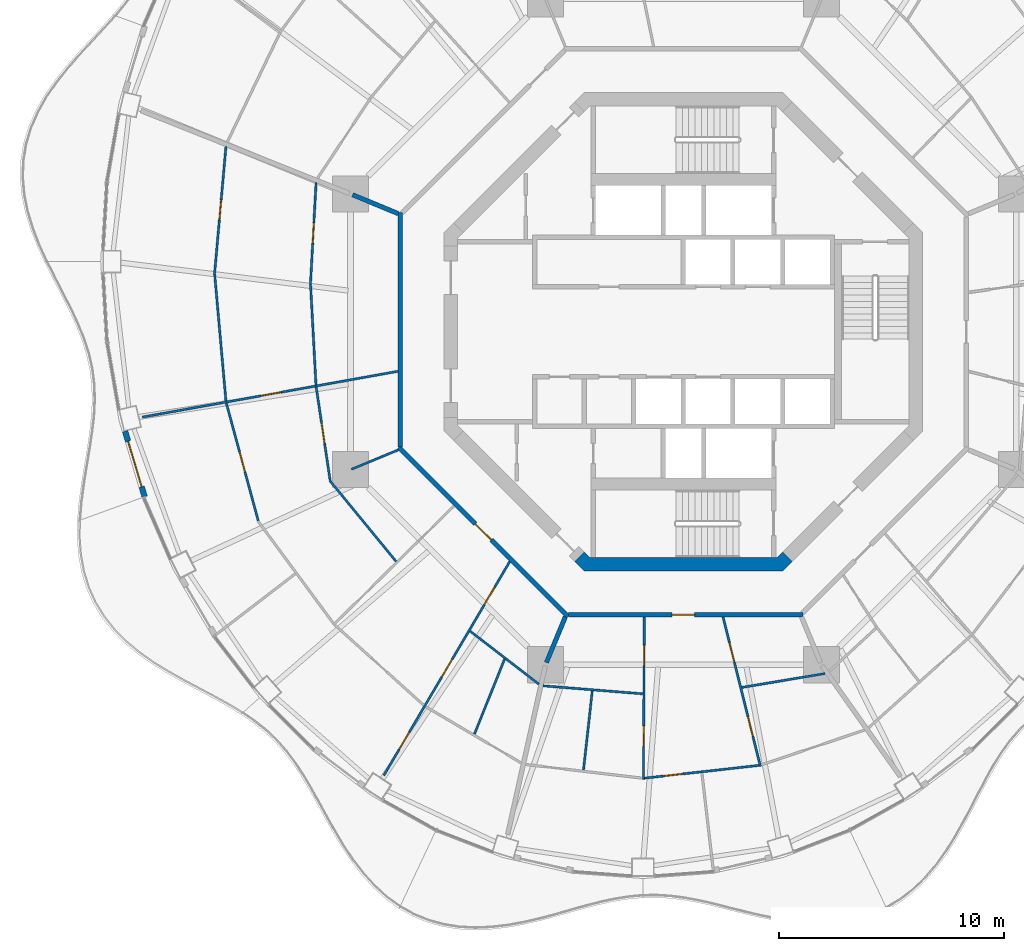
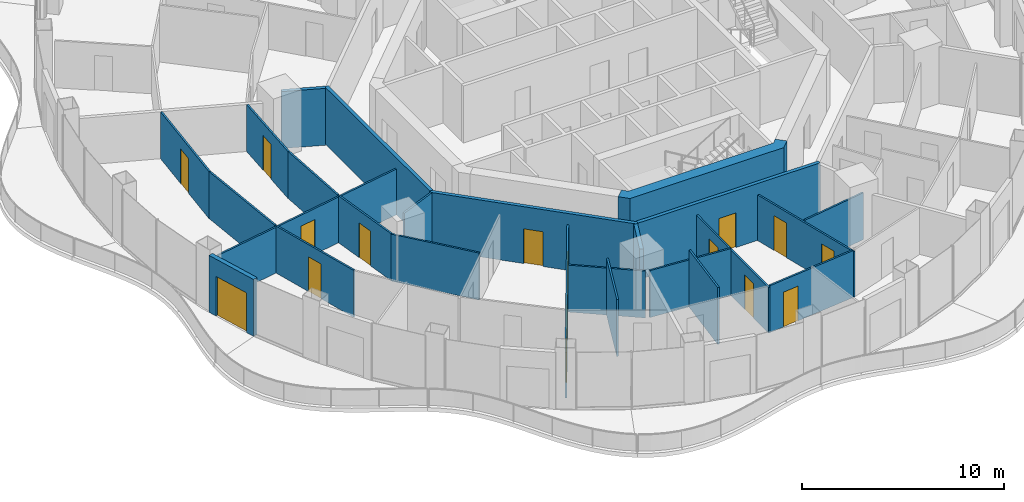
# One storey, part 10 of 18: 25 walls, 16 doors, 16 openings.
"""IFC4 building model written with IfcOpenShell, lengths in metres."""

from ifc_helpers import new_model, si_unit, direction, frame, frame_2d, origin, place, context, subcontext, project, spatial, polyline, rectangle, outline, extrude, material, layer, layer_set, type_object, element, fill, save


model = new_model("IFC4")

# Units and contexts
model_context = context("Model", 3, precision=1e-05, world=origin(), true_north=direction((0.0, 1.0)))
body_context = subcontext(model_context, "Body", "Model", "MODEL_VIEW")
ifc_project = project(units=[si_unit("LENGTHUNIT", "METRE"), si_unit("AREAUNIT", "SQUARE_METRE"), si_unit("VOLUMEUNIT", "CUBIC_METRE"), si_unit("PLANEANGLEUNIT", "RADIAN"), si_unit("MASSUNIT", "GRAM", prefix="KILO")], contexts=[model_context])

# Site, building, storey
site_placement = place(None, origin())
site = spatial("IfcSite", under=ifc_project, at=site_placement, CompositionType="ELEMENT")
building_placement = place(site_placement, origin())
building = spatial("IfcBuilding", under=site, at=building_placement, Name="Nagisa Residences", CompositionType="ELEMENT")
storey_placement = place(building_placement, frame((0.0, 0.0, 234.39990234375)))
storey = spatial("IfcBuildingStorey", under=building, at=storey_placement, Name="L59", CompositionType="ELEMENT", Elevation=234.39990234375)

# Walls
ifc_material_1 = material(Name="Gypsum board on steel studs", Category="steel")
ifc_layer_1 = layer(ifc_material_1, 0.199951171875)
ifc_layer_set_1 = layer_set([ifc_layer_1], Name="Apartment compartment wall EI60 200")
wall_type_1 = type_object("IfcWallType", Name="Apartment compartment wall EI60 200", PredefinedType="PARTITIONING", material=ifc_layer_set_1)
wall_1_placement = place(storey_placement, frame((-12.6572265625, 5.24267578125, 0.0), z_axis=(0.0, 0.0, 1.0), x_axis=(-0.923859888513, 0.38273085373, 0.0)))
element("IfcWall", 1, at=wall_1_placement, inside=storey, type_object=wall_type_1, Name="wall:L59:u02", PredefinedType="PARTITIONING", context=body_context, shape_type="SweptSolid", body=[
    extrude(rectangle(XDim=2.199462890625, YDim=0.199951171875, at=frame_2d((1.099609375, 0.0))), origin(), (0.0, 0.0, 1.0), 3.440185546875),
])
wall_2_placement = place(storey_placement, frame((-5.24267578125, -12.6572265625, 0.0), z_axis=(0.0, 0.0, 1.0), x_axis=(-0.382691608661, -0.923876145736, 0.0)))
element("IfcWall", 2, at=wall_2_placement, inside=storey, type_object=wall_type_1, Name="wall:L59:u04", PredefinedType="PARTITIONING", context=body_context, shape_type="SweptSolid", body=[
    extrude(rectangle(XDim=2.19970703125, YDim=0.199951171875, at=frame_2d((1.099853515625, 0.0))), origin(), (0.0, 0.0, 1.0), 3.440185546875),
])
ifc_material_2 = material(Name="Gypsum board on steel studs", Category="steel")
ifc_layer_2 = layer(ifc_material_2, 0.199951171875)
ifc_layer_set_2 = layer_set([ifc_layer_2], Name="Apartment entry wall EI60 200")
wall_type_2 = type_object("IfcWallType", Name="Apartment entry wall EI60 200", PredefinedType="PARTITIONING", material=ifc_layer_set_2)
wall_3_placement = place(storey_placement, frame((-12.564697265625, 5.304443359375, 0.0), z_axis=(0.0, 0.0, 1.0), x_axis=(0.0, -1.0, 0.0)))
element("IfcWall", 3, at=wall_3_placement, inside=storey, type_object=wall_type_2, Name="wall:L59:u14", PredefinedType="PARTITIONING", context=body_context, shape_type="SweptSolid", body=[
    extrude(rectangle(XDim=10.408935546875, YDim=0.199951171875, at=frame_2d((5.20458984375, 0.0))), origin(), (0.0, 0.0, 1.0), 3.440185546875),
])

# Wall, opening, door
wall_4_placement = place(storey_placement, frame((-12.635498046875, -5.1337890625, 0.0), z_axis=(0.0, 0.0, 1.0), x_axis=(0.707106781187, -0.707106781187, 0.0)))
wall_4 = element("IfcWall", 4, at=wall_4_placement, inside=storey, type_object=wall_type_2, Name="wall:L59:u15", PredefinedType="PARTITIONING", context=body_context, shape_type="SweptSolid", body=[
    extrude(rectangle(XDim=10.609130859375, YDim=0.199951171875, at=frame_2d((5.3046875, 0.0))), origin(), (0.0, 0.0, 1.0), 3.440185546875),
])
opening_1_placement = place(wall_4_placement, frame((4.804443359375, 0.0, 0.0)))
opening_1 = element("IfcOpeningElement", 5, at=opening_1_placement, cuts=wall_4, Name="Opening L59-U01", PredefinedType="OPENING", context=body_context, shape_type="SweptSolid", body=[
    extrude(rectangle(XDim=1.0, YDim=2.10009765625, at=frame_2d((0.5, 1.050048828125))), frame((0.0, 0.10986328125, 0.0), z_axis=(0.0, -1.0, 0.0), x_axis=(1.0, 0.0, 0.0)), (0.0, 0.0, 1.0), 0.219970703125),
])
ifc_material_3 = material(Name="Timber fire door set", Category="wood")
door_type_1 = type_object("IfcDoorType", Name="Apartment entry door FD30S 1000x2100", OperationType="NOTDEFINED", PredefinedType="DOOR", material=ifc_material_3)
door_1_placement = place(opening_1_placement, frame((1.0, 0.0, 0.0), x_axis=(-1.0, 0.0, 0.0)))
door_1 = element("IfcDoor", 6, at=door_1_placement, inside=storey, type_object=door_type_1, Name="Entry door, Apartment 59A", OperationType="SINGLE_SWING_RIGHT", OverallHeight=2.10009765625, OverallWidth=1.0, PredefinedType="DOOR", context=body_context, shape_type="SweptSolid", body=[
    extrude(rectangle(XDim=1.0, YDim=2.10009765625, at=frame_2d((0.5, 1.050048828125))), frame((0.0, 0.02490234375, 0.0), z_axis=(0.0, -1.0, 0.0), x_axis=(1.0, 0.0, 0.0)), (0.0, 0.0, 1.0), 0.050048828125),
])
fill(opening_1, door_1)

wall_5_placement = place(storey_placement, frame((-5.1044921875, -12.564697265625, 0.0), z_axis=(0.0, 0.0, 1.0), x_axis=(1.0, 0.0, 0.0)))
wall_5 = element("IfcWall", 7, at=wall_5_placement, inside=storey, type_object=wall_type_2, Name="wall:L59:u16", PredefinedType="PARTITIONING", context=body_context, shape_type="SweptSolid", body=[
    extrude(rectangle(XDim=10.408935546875, YDim=0.199951171875, at=frame_2d((5.20458984375, 0.0))), origin(), (0.0, 0.0, 1.0), 3.440185546875),
])
opening_2_placement = place(wall_5_placement, frame((4.6044921875, 0.0, 0.0)))
opening_2 = element("IfcOpeningElement", 8, at=opening_2_placement, cuts=wall_5, Name="Opening L59-U14", PredefinedType="OPENING", context=body_context, shape_type="SweptSolid", body=[
    extrude(rectangle(XDim=1.0, YDim=2.10009765625, at=frame_2d((0.5, 1.050048828125))), frame((0.0, 0.10986328125, 0.0), z_axis=(0.0, -1.0, 0.0), x_axis=(1.0, 0.0, 0.0)), (0.0, 0.0, 1.0), 0.219970703125),
])
door_2_placement = place(opening_2_placement, frame((1.0, 0.0, 0.0), x_axis=(-1.0, 0.0, 0.0)))
door_2 = element("IfcDoor", 9, at=door_2_placement, inside=storey, type_object=door_type_1, Name="Entry door, Apartment 59B", OperationType="SINGLE_SWING_LEFT", OverallHeight=2.10009765625, OverallWidth=1.0, PredefinedType="DOOR", context=body_context, shape_type="SweptSolid", body=[
    extrude(rectangle(XDim=1.0, YDim=2.10009765625, at=frame_2d((0.5, 1.050048828125))), frame((0.0, 0.02490234375, 0.0), z_axis=(0.0, -1.0, 0.0), x_axis=(1.0, 0.0, 0.0)), (0.0, 0.0, 1.0), 0.050048828125),
])
fill(opening_2, door_2)

ifc_material_4 = material(Name="Gypsum board on steel studs", Category="steel")
ifc_layer_3 = layer(ifc_material_4, 0.10009765625)
ifc_layer_set_3 = layer_set([ifc_layer_3], Name="Apartment partition 100")
wall_type_3 = type_object("IfcWallType", Name="Apartment partition 100", PredefinedType="PARTITIONING", material=ifc_layer_set_3)
wall_6_placement = place(storey_placement, frame((-16.306884765625, 6.62744140625, 0.0), z_axis=(0.0, 0.0, 1.0), x_axis=(-0.055616130958, -0.998452225185, 0.0)))
wall_6 = element("IfcWall", 10, at=wall_6_placement, inside=storey, type_object=wall_type_3, Name="wall:L59:u58", PredefinedType="PARTITIONING", context=body_context, shape_type="SweptSolid", body=[
    extrude(rectangle(XDim=4.53466796875, YDim=0.10009765625, at=frame_2d((2.267333984375, 0.0))), origin(), (0.0, 0.0, 1.0), 2.837158203125),
])
opening_3_placement = place(wall_6_placement, frame((1.792236328125, 0.0, 0.0)))
opening_3 = element("IfcOpeningElement", 11, at=opening_3_placement, cuts=wall_6, Name="Opening L59-U13", PredefinedType="OPENING", context=body_context, shape_type="SweptSolid", body=[
    extrude(rectangle(XDim=0.89990234375, YDim=2.10009765625, at=frame_2d((0.449951171875, 1.050048828125))), frame((0.0, 0.06005859375, 0.0), z_axis=(0.0, -1.0, 0.0), x_axis=(1.0, 0.0, 0.0)), (0.0, 0.0, 1.0), 0.1201171875),
])
ifc_material_5 = material(Name="Timber door set", Category="wood")
door_type_2 = type_object("IfcDoorType", Name="Apartment door 900x2100", OperationType="NOTDEFINED", PredefinedType="DOOR", material=ifc_material_5)
door_3_placement = place(opening_3_placement, origin())
door_3 = element("IfcDoor", 12, at=door_3_placement, inside=storey, type_object=door_type_2, Name="Door to store, Apartment 59A", OperationType="SINGLE_SWING_LEFT", OverallHeight=2.10009765625, OverallWidth=0.89990234375, PredefinedType="DOOR", context=body_context, shape_type="SweptSolid", body=[
    extrude(rectangle(XDim=0.89990234375, YDim=2.10009765625, at=frame_2d((0.449951171875, 1.050048828125))), frame((0.0, 0.02490234375, 0.0), z_axis=(0.0, -1.0, 0.0), x_axis=(1.0, 0.0, 0.0)), (0.0, 0.0, 1.0), 0.050048828125),
])
fill(opening_3, door_3)

wall_7_placement = place(storey_placement, frame((-20.3095703125, 8.21826171875, 0.0), z_axis=(0.0, 0.0, 1.0), x_axis=(-0.089284106956, -0.996006198899, 0.0)))
wall_7 = element("IfcWall", 13, at=wall_7_placement, inside=storey, type_object=wall_type_3, Name="wall:L59:u59", PredefinedType="PARTITIONING", context=body_context, shape_type="SweptSolid", body=[
    extrude(rectangle(XDim=5.698486328125, YDim=0.10009765625, at=frame_2d((2.84912109375, 0.0))), origin(), (0.0, 0.0, 1.0), 2.837158203125),
])
opening_4_placement = place(wall_7_placement, frame((2.374267578125, 0.0, 0.0)))
opening_4 = element("IfcOpeningElement", 14, at=opening_4_placement, cuts=wall_7, Name="Opening L59-U12", PredefinedType="OPENING", context=body_context, shape_type="SweptSolid", body=[
    extrude(rectangle(XDim=0.89990234375, YDim=2.10009765625, at=frame_2d((0.449951171875, 1.050048828125))), frame((0.0, 0.06005859375, 0.0), z_axis=(0.0, -1.0, 0.0), x_axis=(1.0, 0.0, 0.0)), (0.0, 0.0, 1.0), 0.1201171875),
])
door_4_placement = place(opening_4_placement, frame((0.89990234375, 0.0, 0.0), x_axis=(-1.0, 0.0, 0.0)))
door_4 = element("IfcDoor", 15, at=door_4_placement, inside=storey, type_object=door_type_2, Name="Door to family room, Apartment 59A", OperationType="SINGLE_SWING_LEFT", OverallHeight=2.10009765625, OverallWidth=0.89990234375, PredefinedType="DOOR", context=body_context, shape_type="SweptSolid", body=[
    extrude(rectangle(XDim=0.89990234375, YDim=2.10009765625, at=frame_2d((0.449951171875, 1.050048828125))), frame((0.0, 0.02490234375, 0.0), z_axis=(0.0, -1.0, 0.0), x_axis=(1.0, 0.0, 0.0)), (0.0, 0.0, 1.0), 0.050048828125),
])
fill(opening_4, door_4)

# Walls
wall_8_placement = place(storey_placement, frame((-16.5537109375, 2.099853515625, 0.0), z_axis=(0.0, 0.0, 1.0), x_axis=(0.053945770239, -0.998543866775, 0.0)))
element("IfcWall", 16, at=wall_8_placement, inside=storey, type_object=wall_type_3, Name="wall:L59:u60", PredefinedType="PARTITIONING", context=body_context, shape_type="SweptSolid", body=[
    extrude(rectangle(XDim=4.46240234375, YDim=0.10009765625, at=frame_2d((2.231201171875, 0.0))), origin(), (0.0, 0.0, 1.0), 2.837158203125),
])
wall_9_placement = place(storey_placement, frame((-20.8095703125, 2.54248046875, 0.0), z_axis=(0.0, 0.0, 1.0), x_axis=(0.088621920298, -0.996065336834, 0.0)))
element("IfcWall", 17, at=wall_9_placement, inside=storey, type_object=wall_type_3, Name="wall:L59:u61", PredefinedType="PARTITIONING", context=body_context, shape_type="SweptSolid", body=[
    extrude(rectangle(XDim=5.636474609375, YDim=0.10009765625, at=frame_2d((2.818359375, 0.0))), origin(), (0.0, 0.0, 1.0), 2.837158203125),
])

# Wall, opening, door
wall_10_placement = place(storey_placement, frame((-12.6630859375, -1.75244140625, 0.0), z_axis=(0.0, 0.0, 1.0), x_axis=(-0.98433012022, -0.176335516635, 0.0)))
wall_10 = element("IfcWall", 18, at=wall_10_placement, inside=storey, type_object=wall_type_3, Name="wall:L59:u62", PredefinedType="PARTITIONING", context=body_context, shape_type="SweptSolid", body=[
    extrude(rectangle(XDim=11.537353515625, YDim=0.10009765625, at=frame_2d((5.7685546875, 0.0))), origin(), (0.0, 0.0, 1.0), 2.76220703125),
])
opening_5_placement = place(wall_10_placement, frame((5.28466796875, 0.0, 0.0)))
opening_5 = element("IfcOpeningElement", 19, at=opening_5_placement, cuts=wall_10, Name="Opening L59-U10", PredefinedType="OPENING", context=body_context, shape_type="SweptSolid", body=[
    extrude(rectangle(XDim=0.89990234375, YDim=2.10009765625, at=frame_2d((0.449951171875, 1.050048828125))), frame((0.0, 0.06005859375, 0.0), z_axis=(0.0, -1.0, 0.0), x_axis=(1.0, 0.0, 0.0)), (0.0, 0.0, 1.0), 0.1201171875),
])
door_5_placement = place(opening_5_placement, frame((0.89990234375, 0.0, 0.0), x_axis=(-1.0, 0.0, 0.0)))
door_5 = element("IfcDoor", 20, at=door_5_placement, inside=storey, type_object=door_type_2, Name="Door to kitchen, Apartment 59A", OperationType="SINGLE_SWING_LEFT", OverallHeight=2.10009765625, OverallWidth=0.89990234375, PredefinedType="DOOR", context=body_context, shape_type="SweptSolid", body=[
    extrude(rectangle(XDim=0.89990234375, YDim=2.10009765625, at=frame_2d((0.449951171875, 1.050048828125))), frame((0.0, 0.02490234375, 0.0), z_axis=(0.0, -1.0, 0.0), x_axis=(1.0, 0.0, 0.0)), (0.0, 0.0, 1.0), 0.050048828125),
])
fill(opening_5, door_5)

wall_11_placement = place(storey_placement, frame((-16.302978515625, -2.455322265625, 0.0), z_axis=(0.0, 0.0, 1.0), x_axis=(0.14769374353, -0.989033143086, 0.0)))
wall_11 = element("IfcWall", 21, at=wall_11_placement, inside=storey, type_object=wall_type_3, Name="wall:L59:u63", PredefinedType="PARTITIONING", context=body_context, shape_type="SweptSolid", body=[
    extrude(rectangle(XDim=4.172119140625, YDim=0.10009765625, at=frame_2d((2.0859375, 0.0))), origin(), (0.0, 0.0, 1.0), 2.837158203125),
])
opening_6_placement = place(wall_11_placement, frame((1.635986328125, 0.0, 0.0)))
opening_6 = element("IfcOpeningElement", 22, at=opening_6_placement, cuts=wall_11, Name="Opening L59-U09", PredefinedType="OPENING", context=body_context, shape_type="SweptSolid", body=[
    extrude(rectangle(XDim=0.89990234375, YDim=2.10009765625, at=frame_2d((0.449951171875, 1.050048828125))), frame((0.0, 0.06005859375, 0.0), z_axis=(0.0, -1.0, 0.0), x_axis=(1.0, 0.0, 0.0)), (0.0, 0.0, 1.0), 0.1201171875),
])
door_6_placement = place(opening_6_placement, origin())
door_6 = element("IfcDoor", 23, at=door_6_placement, inside=storey, type_object=door_type_2, Name="Door to laundry, Apartment 59A", OperationType="SINGLE_SWING_LEFT", OverallHeight=2.10009765625, OverallWidth=0.89990234375, PredefinedType="DOOR", context=body_context, shape_type="SweptSolid", body=[
    extrude(rectangle(XDim=0.89990234375, YDim=2.10009765625, at=frame_2d((0.449951171875, 1.050048828125))), frame((0.0, 0.02490234375, 0.0), z_axis=(0.0, -1.0, 0.0), x_axis=(1.0, 0.0, 0.0)), (0.0, 0.0, 1.0), 0.050048828125),
])
fill(opening_6, door_6)

wall_12_placement = place(storey_placement, frame((-20.29248046875, -3.169677734375, 0.0), z_axis=(0.0, 0.0, 1.0), x_axis=(0.261890541964, -0.965097582646, 0.0)))
wall_12 = element("IfcWall", 24, at=wall_12_placement, inside=storey, type_object=wall_type_3, Name="wall:L59:u64", PredefinedType="PARTITIONING", context=body_context, shape_type="SweptSolid", body=[
    extrude(rectangle(XDim=5.406005859375, YDim=0.10009765625, at=frame_2d((2.703125, 0.0))), origin(), (0.0, 0.0, 1.0), 2.837158203125),
])
opening_7_placement = place(wall_12_placement, frame((2.2529296875, 0.0, 0.0)))
opening_7 = element("IfcOpeningElement", 25, at=opening_7_placement, cuts=wall_12, Name="Opening L59-U06", PredefinedType="OPENING", context=body_context, shape_type="SweptSolid", body=[
    extrude(rectangle(XDim=0.89990234375, YDim=2.10009765625, at=frame_2d((0.449951171875, 1.050048828125))), frame((0.0, 0.06005859375, 0.0), z_axis=(0.0, -1.0, 0.0), x_axis=(1.0, 0.0, 0.0)), (0.0, 0.0, 1.0), 0.1201171875),
])
door_7_placement = place(opening_7_placement, frame((0.89990234375, 0.0, 0.0), x_axis=(-1.0, 0.0, 0.0)))
door_7 = element("IfcDoor", 26, at=door_7_placement, inside=storey, type_object=door_type_2, Name="Door to master bedroom, Apartment 59A", OperationType="SINGLE_SWING_LEFT", OverallHeight=2.10009765625, OverallWidth=0.89990234375, PredefinedType="DOOR", context=body_context, shape_type="SweptSolid", body=[
    extrude(rectangle(XDim=0.89990234375, YDim=2.10009765625, at=frame_2d((0.449951171875, 1.050048828125))), frame((0.0, 0.02490234375, 0.0), z_axis=(0.0, -1.0, 0.0), x_axis=(1.0, 0.0, 0.0)), (0.0, 0.0, 1.0), 0.050048828125),
])
fill(opening_7, door_7)

# Walls
wall_13_placement = place(storey_placement, frame((-12.6572265625, -5.24267578125, 0.0), z_axis=(0.0, 0.0, 1.0), x_axis=(-0.923864733477, -0.382719158442, 0.0)))
element("IfcWall", 27, at=wall_13_placement, inside=storey, type_object=wall_type_3, Name="wall:L59:u65", PredefinedType="PARTITIONING", context=body_context, shape_type="SweptSolid", body=[
    extrude(rectangle(XDim=2.25, YDim=0.10009765625, at=frame_2d((1.125, 0.0))), origin(), (0.0, 0.0, 1.0), 3.440185546875),
])
wall_14_placement = place(storey_placement, frame((-15.7109375, -6.592529296875, 0.0), z_axis=(0.0, 0.0, 1.0), x_axis=(0.634058916642, -0.773284740718, 0.0)))
element("IfcWall", 28, at=wall_14_placement, inside=storey, type_object=wall_type_3, Name="wall:L59:u66", PredefinedType="PARTITIONING", context=body_context, shape_type="SweptSolid", body=[
    extrude(rectangle(XDim=4.660888671875, YDim=0.10009765625, at=frame_2d((2.33056640625, 0.0))), origin(), (0.0, 0.0, 1.0), 2.837158203125),
])

# Wall, openings, doors
wall_15_placement = place(storey_placement, frame((-7.708740234375, -10.197509765625, 0.0), z_axis=(0.0, 0.0, 1.0), x_axis=(-0.507355901053, -0.8617366127, 0.0)))
wall_15 = element("IfcWall", 29, at=wall_15_placement, inside=storey, type_object=wall_type_3, Name="wall:L59:u71", PredefinedType="PARTITIONING", context=body_context, shape_type="SweptSolid", body=[
    extrude(rectangle(XDim=11.02490234375, YDim=0.10009765625, at=frame_2d((5.512451171875, 0.0))), origin(), (0.0, 0.0, 1.0), 2.76220703125),
])
opening_8_placement = place(wall_15_placement, frame((1.326171875, 0.0, 0.0)))
opening_8 = element("IfcOpeningElement", 30, at=opening_8_placement, cuts=wall_15, Name="Opening L59-U03", PredefinedType="OPENING", context=body_context, shape_type="SweptSolid", body=[
    extrude(rectangle(XDim=0.89990234375, YDim=2.10009765625, at=frame_2d((0.449951171875, 1.050048828125))), frame((0.0, 0.06005859375, 0.0), z_axis=(0.0, -1.0, 0.0), x_axis=(1.0, 0.0, 0.0)), (0.0, 0.0, 1.0), 0.1201171875),
])
opening_9_placement = place(wall_15_placement, frame((5.05029296875, 0.0, 0.0)))
opening_9 = element("IfcOpeningElement", 31, at=opening_9_placement, cuts=wall_15, Name="Opening L59-U05", PredefinedType="OPENING", context=body_context, shape_type="SweptSolid", body=[
    extrude(rectangle(XDim=0.89990234375, YDim=2.10009765625, at=frame_2d((0.449951171875, 1.050048828125))), frame((0.0, 0.06005859375, 0.0), z_axis=(0.0, -1.0, 0.0), x_axis=(1.0, 0.0, 0.0)), (0.0, 0.0, 1.0), 0.1201171875),
])
opening_10_placement = place(wall_15_placement, frame((8.78662109375, 0.0, 0.0)))
opening_10 = element("IfcOpeningElement", 32, at=opening_10_placement, cuts=wall_15, Name="Opening L59-U08", PredefinedType="OPENING", context=body_context, shape_type="SweptSolid", body=[
    extrude(rectangle(XDim=0.89990234375, YDim=2.10009765625, at=frame_2d((0.449951171875, 1.050048828125))), frame((0.0, 0.06005859375, 0.0), z_axis=(0.0, -1.0, 0.0), x_axis=(1.0, 0.0, 0.0)), (0.0, 0.0, 1.0), 0.1201171875),
])
door_8_placement = place(opening_8_placement, origin())
door_8 = element("IfcDoor", 33, at=door_8_placement, inside=storey, type_object=door_type_2, Name="Door to family bathroom, Apartment 59A", OperationType="SINGLE_SWING_LEFT", OverallHeight=2.10009765625, OverallWidth=0.89990234375, PredefinedType="DOOR", context=body_context, shape_type="SweptSolid", body=[
    extrude(rectangle(XDim=0.89990234375, YDim=2.10009765625, at=frame_2d((0.449951171875, 1.050048828125))), frame((0.0, 0.02490234375, 0.0), z_axis=(0.0, -1.0, 0.0), x_axis=(1.0, 0.0, 0.0)), (0.0, 0.0, 1.0), 0.050048828125),
])
fill(opening_8, door_8)
door_9_placement = place(opening_9_placement, origin())
door_9 = element("IfcDoor", 34, at=door_9_placement, inside=storey, type_object=door_type_2, Name="Door to family bathroom, Apartment 59A", OperationType="SINGLE_SWING_LEFT", OverallHeight=2.10009765625, OverallWidth=0.89990234375, PredefinedType="DOOR", context=body_context, shape_type="SweptSolid", body=[
    extrude(rectangle(XDim=0.89990234375, YDim=2.10009765625, at=frame_2d((0.449951171875, 1.050048828125))), frame((0.0, 0.02490234375, 0.0), z_axis=(0.0, -1.0, 0.0), x_axis=(1.0, 0.0, 0.0)), (0.0, 0.0, 1.0), 0.050048828125),
])
fill(opening_9, door_9)
door_10_placement = place(opening_10_placement, origin())
door_10 = element("IfcDoor", 35, at=door_10_placement, inside=storey, type_object=door_type_2, Name="Door to bedroom, Apartment 59A", OperationType="SINGLE_SWING_RIGHT", OverallHeight=2.10009765625, OverallWidth=0.89990234375, PredefinedType="DOOR", context=body_context, shape_type="SweptSolid", body=[
    extrude(rectangle(XDim=0.89990234375, YDim=2.10009765625, at=frame_2d((0.449951171875, 1.050048828125))), frame((0.0, 0.02490234375, 0.0), z_axis=(0.0, -1.0, 0.0), x_axis=(1.0, 0.0, 0.0)), (0.0, 0.0, 1.0), 0.050048828125),
])
fill(opening_10, door_10)

# Walls
wall_16_placement = place(storey_placement, frame((-9.471435546875, -13.289306640625, 0.0), z_axis=(0.0, 0.0, 1.0), x_axis=(0.792227074489, -0.610226402614, 0.0)))
element("IfcWall", 36, at=wall_16_placement, inside=storey, type_object=wall_type_3, Name="wall:L59:u72", PredefinedType="PARTITIONING", context=body_context, shape_type="SweptSolid", body=[
    extrude(rectangle(XDim=3.865966796875, YDim=0.10009765625, at=frame_2d((1.93310546875, 0.0))), origin(), (0.0, 0.0, 1.0), 2.837158203125),
])
wall_17_placement = place(storey_placement, frame((-7.93896484375, -14.530517578125, 0.0), z_axis=(0.0, 0.0, 1.0), x_axis=(-0.373254758443, -0.927728885666, 0.0)))
element("IfcWall", 37, at=wall_17_placement, inside=storey, type_object=wall_type_3, Name="wall:L59:u74", PredefinedType="PARTITIONING", context=body_context, shape_type="SweptSolid", body=[
    extrude(rectangle(XDim=3.5888671875, YDim=0.10009765625, at=frame_2d((1.79443359375, 0.0))), origin(), (0.0, 0.0, 1.0), 3.440185546875),
])
wall_18_placement = place(storey_placement, frame((-6.22998046875, -15.71728515625, 0.0), z_axis=(0.0, 0.0, 1.0), x_axis=(0.996785662802, -0.080114558181, 0.0)))
element("IfcWall", 38, at=wall_18_placement, inside=storey, type_object=wall_type_3, Name="wall:L59:u75", PredefinedType="PARTITIONING", context=body_context, shape_type="SweptSolid", body=[
    extrude(rectangle(XDim=4.43994140625, YDim=0.10009765625, at=frame_2d((2.219970703125, 0.0))), origin(), (0.0, 0.0, 1.0), 2.837158203125),
])
wall_19_placement = place(storey_placement, frame((-4.04736328125, -15.94287109375, 0.0), z_axis=(0.0, 0.0, 1.0), x_axis=(-0.109681942509, -0.993966735604, 0.0)))
element("IfcWall", 39, at=wall_19_placement, inside=storey, type_object=wall_type_3, Name="wall:L59:u77", PredefinedType="PARTITIONING", context=body_context, shape_type="SweptSolid", body=[
    extrude(rectangle(XDim=3.5390625, YDim=0.10009765625, at=frame_2d((1.76953125, 0.0))), origin(), (0.0, 0.0, 1.0), 3.440185546875),
])

# Wall, openings, doors
wall_20_placement = place(storey_placement, frame((-1.7353515625, -12.664794921875, 0.0), z_axis=(0.0, 0.0, 1.0), x_axis=(-0.005554152823, -0.999984575574, 0.0)))
wall_20 = element("IfcWall", 40, at=wall_20_placement, inside=storey, type_object=wall_type_3, Name="wall:L59:u78", PredefinedType="PARTITIONING", context=body_context, shape_type="SweptSolid", body=[
    extrude(rectangle(XDim=7.208740234375, YDim=0.10009765625, at=frame_2d((3.6044921875, 0.0))), origin(), (0.0, 0.0, 1.0), 2.76220703125),
])
opening_11_placement = place(wall_20_placement, frame((1.256103515625, 0.0, 0.0)))
opening_11 = element("IfcOpeningElement", 41, at=opening_11_placement, cuts=wall_20, Name="Opening L59-U15", PredefinedType="OPENING", context=body_context, shape_type="SweptSolid", body=[
    extrude(rectangle(XDim=0.89990234375, YDim=2.10009765625, at=frame_2d((0.449951171875, 1.050048828125))), frame((0.0, 0.06005859375, 0.0), z_axis=(0.0, -1.0, 0.0), x_axis=(1.0, 0.0, 0.0)), (0.0, 0.0, 1.0), 0.1201171875),
])
opening_12_placement = place(wall_20_placement, frame((4.835693359375, 0.0, 0.0)))
opening_12 = element("IfcOpeningElement", 42, at=opening_12_placement, cuts=wall_20, Name="Opening L59-U17", PredefinedType="OPENING", context=body_context, shape_type="SweptSolid", body=[
    extrude(rectangle(XDim=0.89990234375, YDim=2.10009765625, at=frame_2d((0.449951171875, 1.050048828125))), frame((0.0, 0.06005859375, 0.0), z_axis=(0.0, -1.0, 0.0), x_axis=(1.0, 0.0, 0.0)), (0.0, 0.0, 1.0), 0.1201171875),
])
door_11_placement = place(opening_11_placement, frame((0.89990234375, 0.0, 0.0), x_axis=(-1.0, 0.0, 0.0)))
door_11 = element("IfcDoor", 43, at=door_11_placement, inside=storey, type_object=door_type_2, Name="Door to family bathroom, Apartment 59B", OperationType="SINGLE_SWING_RIGHT", OverallHeight=2.10009765625, OverallWidth=0.89990234375, PredefinedType="DOOR", context=body_context, shape_type="SweptSolid", body=[
    extrude(rectangle(XDim=0.89990234375, YDim=2.10009765625, at=frame_2d((0.449951171875, 1.050048828125))), frame((0.0, 0.02490234375, 0.0), z_axis=(0.0, -1.0, 0.0), x_axis=(1.0, 0.0, 0.0)), (0.0, 0.0, 1.0), 0.050048828125),
])
fill(opening_11, door_11)
door_12_placement = place(opening_12_placement, frame((0.89990234375, 0.0, 0.0), x_axis=(-1.0, 0.0, 0.0)))
door_12 = element("IfcDoor", 44, at=door_12_placement, inside=storey, type_object=door_type_2, Name="Door to family bathroom, Apartment 59B", OperationType="SINGLE_SWING_RIGHT", OverallHeight=2.10009765625, OverallWidth=0.89990234375, PredefinedType="DOOR", context=body_context, shape_type="SweptSolid", body=[
    extrude(rectangle(XDim=0.89990234375, YDim=2.10009765625, at=frame_2d((0.449951171875, 1.050048828125))), frame((0.0, 0.02490234375, 0.0), z_axis=(0.0, -1.0, 0.0), x_axis=(1.0, 0.0, 0.0)), (0.0, 0.0, 1.0), 0.050048828125),
])
fill(opening_12, door_12)

# Wall, opening, door
wall_21_placement = place(storey_placement, frame((-1.7255859375, -19.81787109375, 0.0), z_axis=(0.0, 0.0, 1.0), x_axis=(0.99381893047, 0.111013212902, 0.0)))
wall_21 = element("IfcWall", 45, at=wall_21_placement, inside=storey, type_object=wall_type_3, Name="wall:L59:u79", PredefinedType="PARTITIONING", context=body_context, shape_type="SweptSolid", body=[
    extrude(rectangle(XDim=5.113037109375, YDim=0.10009765625, at=frame_2d((2.556640625, 0.0))), origin(), (0.0, 0.0, 1.0), 2.837158203125),
])
opening_13_placement = place(wall_21_placement, frame((0.828369140625, 0.0, 0.0)))
opening_13 = element("IfcOpeningElement", 46, at=opening_13_placement, cuts=wall_21, Name="Opening L59-U19", PredefinedType="OPENING", context=body_context, shape_type="SweptSolid", body=[
    extrude(rectangle(XDim=0.89990234375, YDim=2.10009765625, at=frame_2d((0.449951171875, 1.050048828125))), frame((0.0, 0.06005859375, 0.0), z_axis=(0.0, -1.0, 0.0), x_axis=(1.0, 0.0, 0.0)), (0.0, 0.0, 1.0), 0.1201171875),
])
door_13_placement = place(opening_13_placement, frame((0.89990234375, 0.0, 0.0), x_axis=(-1.0, 0.0, 0.0)))
door_13 = element("IfcDoor", 47, at=door_13_placement, inside=storey, type_object=door_type_2, Name="Door to bedroom, Apartment 59B", OperationType="SINGLE_SWING_RIGHT", OverallHeight=2.10009765625, OverallWidth=0.89990234375, PredefinedType="DOOR", context=body_context, shape_type="SweptSolid", body=[
    extrude(rectangle(XDim=0.89990234375, YDim=2.10009765625, at=frame_2d((0.449951171875, 1.050048828125))), frame((0.0, 0.02490234375, 0.0), z_axis=(0.0, -1.0, 0.0), x_axis=(1.0, 0.0, 0.0)), (0.0, 0.0, 1.0), 0.050048828125),
])
fill(opening_13, door_13)

# Wall, openings, doors
wall_22_placement = place(storey_placement, frame((1.759033203125, -12.661865234375, 0.0), z_axis=(0.0, 0.0, 1.0), x_axis=(0.242653275363, -0.970113079984, 0.0)))
wall_22 = element("IfcWall", 48, at=wall_22_placement, inside=storey, type_object=wall_type_3, Name="wall:L59:u81", PredefinedType="PARTITIONING", context=body_context, shape_type="SweptSolid", body=[
    extrude(rectangle(XDim=6.835693359375, YDim=0.10009765625, at=frame_2d((3.41796875, 0.0))), origin(), (0.0, 0.0, 1.0), 2.76220703125),
])
opening_14_placement = place(wall_22_placement, frame((1.166015625, 0.0, 0.0)))
opening_14 = element("IfcOpeningElement", 49, at=opening_14_placement, cuts=wall_22, Name="Opening L59-U16", PredefinedType="OPENING", context=body_context, shape_type="SweptSolid", body=[
    extrude(rectangle(XDim=0.89990234375, YDim=2.10009765625, at=frame_2d((0.449951171875, 1.050048828125))), frame((0.0, 0.06005859375, 0.0), z_axis=(0.0, -1.0, 0.0), x_axis=(1.0, 0.0, 0.0)), (0.0, 0.0, 1.0), 0.1201171875),
])
opening_15_placement = place(wall_22_placement, frame((4.558837890625, 0.0, 0.0)))
opening_15 = element("IfcOpeningElement", 50, at=opening_15_placement, cuts=wall_22, Name="Opening L59-U18", PredefinedType="OPENING", context=body_context, shape_type="SweptSolid", body=[
    extrude(rectangle(XDim=0.89990234375, YDim=2.10009765625, at=frame_2d((0.449951171875, 1.050048828125))), frame((0.0, 0.06005859375, 0.0), z_axis=(0.0, -1.0, 0.0), x_axis=(1.0, 0.0, 0.0)), (0.0, 0.0, 1.0), 0.1201171875),
])
door_14_placement = place(opening_14_placement, origin())
door_14 = element("IfcDoor", 51, at=door_14_placement, inside=storey, type_object=door_type_2, Name="Door to store, Apartment 59B", OperationType="SINGLE_SWING_RIGHT", OverallHeight=2.10009765625, OverallWidth=0.89990234375, PredefinedType="DOOR", context=body_context, shape_type="SweptSolid", body=[
    extrude(rectangle(XDim=0.89990234375, YDim=2.10009765625, at=frame_2d((0.449951171875, 1.050048828125))), frame((0.0, 0.02490234375, 0.0), z_axis=(0.0, -1.0, 0.0), x_axis=(1.0, 0.0, 0.0)), (0.0, 0.0, 1.0), 0.050048828125),
])
fill(opening_14, door_14)
door_15_placement = place(opening_15_placement, origin())
door_15 = element("IfcDoor", 52, at=door_15_placement, inside=storey, type_object=door_type_2, Name="Door to kitchen, Apartment 59B", OperationType="SINGLE_SWING_RIGHT", OverallHeight=2.10009765625, OverallWidth=0.89990234375, PredefinedType="DOOR", context=body_context, shape_type="SweptSolid", body=[
    extrude(rectangle(XDim=0.89990234375, YDim=2.10009765625, at=frame_2d((0.449951171875, 1.050048828125))), frame((0.0, 0.02490234375, 0.0), z_axis=(0.0, -1.0, 0.0), x_axis=(1.0, 0.0, 0.0)), (0.0, 0.0, 1.0), 0.050048828125),
])
fill(opening_15, door_15)

# Wall
wall_23_placement = place(storey_placement, frame((2.592529296875, -15.788818359375, 0.0), z_axis=(0.0, 0.0, 1.0), x_axis=(0.986385117656, 0.164451815639, 0.0)))
element("IfcWall", 53, at=wall_23_placement, inside=storey, type_object=wall_type_3, Name="wall:L59:u82", PredefinedType="PARTITIONING", context=body_context, shape_type="SweptSolid", body=[
    extrude(rectangle(XDim=3.7470703125, YDim=0.10009765625, at=frame_2d((1.87353515625, 0.0))), origin(), (0.0, 0.0, 1.0), 2.837158203125),
])

# Wall, opening, door
ifc_material_6 = material(Name="Precast concrete C40/50", Category="concrete")
ifc_layer_4 = layer(ifc_material_6, 0.25)
ifc_layer_set_4 = layer_set([ifc_layer_4], Name="BALCONY DOOR WALL 250")
wall_type_4 = type_object("IfcWallType", Name="BALCONY DOOR WALL 250", PredefinedType="SOLIDWALL", material=ifc_layer_set_4)
wall_24_placement = place(storey_placement, frame((-23.91796875, -7.328369140625, 0.0), z_axis=(0.0, 0.0, 1.0), x_axis=(-0.285859454825, 0.95827155446, 0.0)))
wall_24 = element("IfcWall", 54, at=wall_24_placement, inside=storey, type_object=wall_type_4, Name="wall:L59:bay26", PredefinedType="SOLIDWALL", context=body_context, shape_type="SweptSolid", body=[
    extrude(rectangle(XDim=3.04052734375, YDim=0.25, at=frame_2d((1.520263671875, 0.0))), origin(), (0.0, 0.0, 1.0), 3.440185546875),
])
opening_16_placement = place(wall_24_placement, frame((0.47021484375, 0.0, 0.0)))
opening_16 = element("IfcOpeningElement", 55, at=opening_16_placement, cuts=wall_24, Name="Opening BD-L59-09", PredefinedType="OPENING", context=body_context, shape_type="SweptSolid", body=[
    extrude(rectangle(XDim=2.10009765625, YDim=2.39990234375, at=frame_2d((1.050048828125, 1.199951171875))), frame((0.0, 0.135009765625, 0.0), z_axis=(0.0, -1.0, 0.0), x_axis=(1.0, 0.0, 0.0)), (0.0, 0.0, 1.0), 0.27001953125),
])
ifc_material_7 = material(Name="Aluminium and clear glass", Category="aluminium")
door_type_3 = type_object("IfcDoorType", Name="BALCONY SLIDING DOOR 2100x2400", OperationType="SLIDING_TO_LEFT", PredefinedType="DOOR", material=ifc_material_7)
door_16_placement = place(opening_16_placement, origin())
door_16 = element("IfcDoor", 56, at=door_16_placement, inside=storey, type_object=door_type_3, Name="door:L59:bay26", OperationType="SLIDING_TO_LEFT", OverallHeight=2.39990234375, OverallWidth=2.10009765625, PredefinedType="DOOR", context=body_context, shape_type="SweptSolid", body=[
    extrude(rectangle(XDim=2.10009765625, YDim=2.39990234375, at=frame_2d((1.050048828125, 1.199951171875))), frame((0.0, 0.02490234375, 0.0), z_axis=(0.0, -1.0, 0.0), x_axis=(1.0, 0.0, 0.0)), (0.0, 0.0, 1.0), 0.050048828125),
])
fill(opening_16, door_16)

# Wall
ifc_material_8 = material(Name="Concrete C60", Category="concrete")
ifc_layer_5 = layer(ifc_material_8, 0.60009765625)
ifc_layer_set_5 = layer_set([ifc_layer_5], Name="Core shear wall 600")
wall_type_5 = type_object("IfcWallType", Name="Core shear wall 600", PredefinedType="SHEAR", material=ifc_layer_set_5)
wall_25_placement = place(storey_placement, origin())
element("IfcWall", 57, at=wall_25_placement, inside=storey, type_object=wall_type_5, Name="wall:L59:core:flat6", PredefinedType="SHEAR", context=body_context, shape_type="SweptSolid", body=[
    extrude(outline(polyline([(-4.15234375, -10.024658203125), (4.15234375, -10.024658203125), (4.40087890625, -9.776123046875), (4.8251953125, -10.200439453125), (4.40087890625, -10.62451171875), (-4.40087890625, -10.62451171875), (-4.8251953125, -10.200439453125), (-4.40087890625, -9.776123046875), (-4.15234375, -10.024658203125)])), origin(), (0.0, 0.0, 1.0), 3.440185546875),
])

save(model, "model.ifc")
